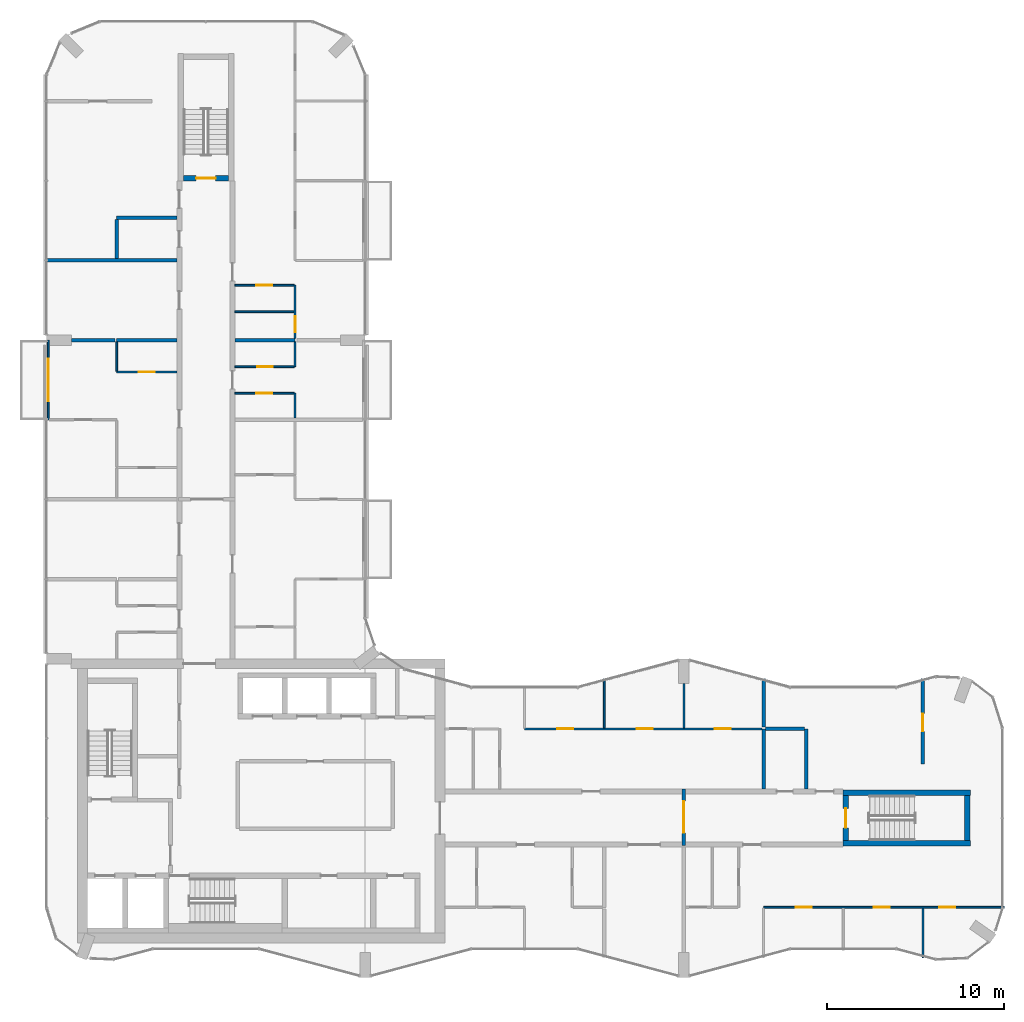
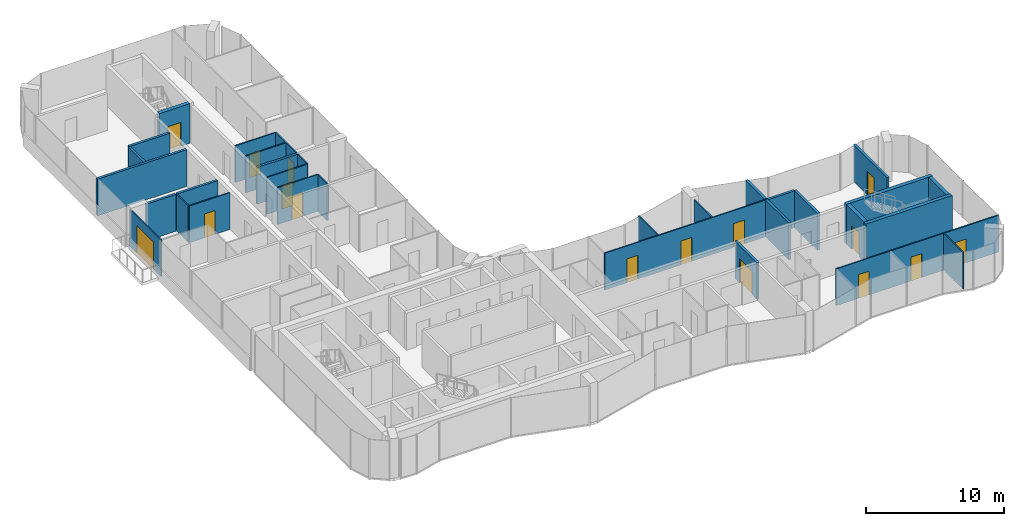
# One storey, part 12 of 15: 32 walls, 16 doors, 16 openings.
"""IFC4 building model written with IfcOpenShell, lengths in metres."""

from ifc_helpers import new_model, si_unit, direction, frame, frame_2d, origin, place, context, subcontext, project, spatial, rectangle, extrude, material, layer, layer_set, type_object, element, fill, save


model = new_model("IFC4")

# Units and contexts
model_context = context("Model", 3, precision=1e-05, world=origin(), true_north=direction((0.0, 1.0)))
body_context = subcontext(model_context, "Body", "Model", "MODEL_VIEW")
ifc_project = project(units=[si_unit("LENGTHUNIT", "METRE"), si_unit("AREAUNIT", "SQUARE_METRE"), si_unit("VOLUMEUNIT", "CUBIC_METRE"), si_unit("PLANEANGLEUNIT", "RADIAN"), si_unit("MASSUNIT", "GRAM", prefix="KILO")], contexts=[model_context])

# Site, building, storey
site_placement = place(None, origin())
site = spatial("IfcSite", under=ifc_project, at=site_placement, CompositionType="ELEMENT")
building_placement = place(site_placement, origin())
building = spatial("IfcBuilding", under=site, at=building_placement, Name="Plateau Cross Towers", CompositionType="ELEMENT")
storey_placement = place(building_placement, frame((0.0, 0.0, 204.89990234375)))
storey = spatial("IfcBuildingStorey", under=building, at=storey_placement, Name="L53", CompositionType="ELEMENT", Elevation=204.89990234375)

# Wall, opening, door
ifc_material_1 = material(Name="Aluminium framed glazing", Category="aluminium")
ifc_layer_1 = layer(ifc_material_1, 0.10009765625)
ifc_layer_set_1 = layer_set([ifc_layer_1], Name="Aluminium framed glazing")
wall_type_1 = type_object("IfcWallType", Name="Balcony screen wall 100", PredefinedType="STANDARD", material=ifc_layer_set_1)
wall_1_placement = place(storey_placement, frame((0.10009765625, 31.5, 0.0), z_axis=(0.0, 0.0, 1.0), x_axis=(0.0, 1.0, 0.0)))
wall_1 = element("IfcWall", 1, at=wall_1_placement, inside=storey, type_object=wall_type_1, Name="Balcony screen wall A-BAL-L53-01", PredefinedType="STANDARD", context=body_context, shape_type="SweptSolid", body=[
    extrude(rectangle(XDim=4.5, YDim=0.10009765625, at=frame_2d((2.25, 0.0))), origin(), (0.0, 0.0, 1.0), 3.25),
])
opening_1_placement = place(wall_1_placement, frame((1.050048828125, 0.0, 0.0)))
opening_1 = element("IfcOpeningElement", 2, at=opening_1_placement, cuts=wall_1, Name="Opening D-B24", PredefinedType="OPENING", context=body_context, shape_type="SweptSolid", body=[
    extrude(rectangle(XDim=2.39990234375, YDim=2.39990234375, at=frame_2d((1.199951171875, 1.199951171875))), frame((0.0, 0.06005859375, 0.0), z_axis=(0.0, -1.0, 0.0), x_axis=(1.0, 0.0, 0.0)), (0.0, 0.0, 1.0), 0.1201171875),
])
ifc_material_2 = material(Name="Aluminium frame, double glazing", Category="aluminium")
door_type_1 = type_object("IfcDoorType", Name="Balcony sliding door 2400", OperationType="NOTDEFINED", PredefinedType="DOOR", material=ifc_material_2)
door_1_placement = place(opening_1_placement, origin())
door_1 = element("IfcDoor", 3, at=door_1_placement, inside=storey, type_object=door_type_1, Name="Balcony door A-BAL-L53-01", OperationType="SINGLE_SWING_LEFT", OverallHeight=2.39990234375, OverallWidth=2.39990234375, PredefinedType="DOOR", context=body_context, shape_type="SweptSolid", body=[
    extrude(rectangle(XDim=2.39990234375, YDim=2.39990234375, at=frame_2d((1.199951171875, 1.199951171875))), frame((0.0, 0.02490234375, 0.0), z_axis=(0.0, -1.0, 0.0), x_axis=(1.0, 0.0, 0.0)), (0.0, 0.0, 1.0), 0.050048828125),
])
fill(opening_1, door_1)

# Wall, openings, doors
ifc_material_3 = material(Name="Gypsum board on steel studs", Category="steel")
ifc_layer_2 = layer(ifc_material_3, 0.10009765625)
ifc_layer_set_2 = layer_set([ifc_layer_2], Name="Gypsum board on steel studs")
wall_type_2 = type_object("IfcWallType", Name="Flat partition 100", PredefinedType="PARTITIONING", material=ifc_layer_set_2)
wall_2_placement = place(storey_placement, frame((54.080078125, 3.96240234375, 0.0), z_axis=(0.0, 0.0, 1.0), x_axis=(-1.0, 0.0, 0.0)))
wall_2 = element("IfcWall", 4, at=wall_2_placement, inside=storey, type_object=wall_type_2, Name="Partition wall", PredefinedType="PARTITIONING", context=body_context, shape_type="SweptSolid", body=[
    extrude(rectangle(XDim=13.580078125, YDim=0.10009765625, at=frame_2d((6.7900390625, 0.0))), origin(), (0.0, 0.0, 1.0), 3.25),
])
opening_2_placement = place(wall_2_placement, frame((10.85009765625, 0.0, 0.0)))
opening_2 = element("IfcOpeningElement", 5, at=opening_2_placement, cuts=wall_2, Name="Opening 53-25", PredefinedType="OPENING", context=body_context, shape_type="SweptSolid", body=[
    extrude(rectangle(XDim=0.89990234375, YDim=2.10009765625, at=frame_2d((0.449951171875, 1.050048828125))), frame((0.0, 0.06005859375, 0.0), z_axis=(0.0, -1.0, 0.0), x_axis=(1.0, 0.0, 0.0)), (0.0, 0.0, 1.0), 0.1201171875),
])
opening_3_placement = place(wall_2_placement, frame((6.449951171875, 0.0, 0.0)))
opening_3 = element("IfcOpeningElement", 6, at=opening_3_placement, cuts=wall_2, Name="Opening 53-26", PredefinedType="OPENING", context=body_context, shape_type="SweptSolid", body=[
    extrude(rectangle(XDim=0.89990234375, YDim=2.10009765625, at=frame_2d((0.449951171875, 1.050048828125))), frame((0.0, 0.06005859375, 0.0), z_axis=(0.0, -1.0, 0.0), x_axis=(1.0, 0.0, 0.0)), (0.0, 0.0, 1.0), 0.1201171875),
])
opening_4_placement = place(wall_2_placement, frame((2.75, 0.0, 0.0)))
opening_4 = element("IfcOpeningElement", 7, at=opening_4_placement, cuts=wall_2, Name="Opening 53-27", PredefinedType="OPENING", context=body_context, shape_type="SweptSolid", body=[
    extrude(rectangle(XDim=0.89990234375, YDim=2.10009765625, at=frame_2d((0.449951171875, 1.050048828125))), frame((0.0, 0.06005859375, 0.0), z_axis=(0.0, -1.0, 0.0), x_axis=(1.0, 0.0, 0.0)), (0.0, 0.0, 1.0), 0.1201171875),
])
ifc_material_4 = material(Name="Timber leaf", Category="wood")
door_type_2 = type_object("IfcDoorType", Name="Flat room door 900", OperationType="NOTDEFINED", PredefinedType="DOOR", material=ifc_material_4)
door_2_placement = place(opening_2_placement, origin())
door_2 = element("IfcDoor", 8, at=door_2_placement, inside=storey, type_object=door_type_2, Name="Door 53-25", OperationType="SINGLE_SWING_RIGHT", OverallHeight=2.10009765625, OverallWidth=0.89990234375, PredefinedType="DOOR", context=body_context, shape_type="SweptSolid", body=[
    extrude(rectangle(XDim=0.89990234375, YDim=2.10009765625, at=frame_2d((0.449951171875, 1.050048828125))), frame((0.0, 0.02490234375, 0.0), z_axis=(0.0, -1.0, 0.0), x_axis=(1.0, 0.0, 0.0)), (0.0, 0.0, 1.0), 0.050048828125),
])
fill(opening_2, door_2)
door_3_placement = place(opening_3_placement, origin())
door_3 = element("IfcDoor", 9, at=door_3_placement, inside=storey, type_object=door_type_2, Name="Door 53-26", OperationType="SINGLE_SWING_RIGHT", OverallHeight=2.10009765625, OverallWidth=0.89990234375, PredefinedType="DOOR", context=body_context, shape_type="SweptSolid", body=[
    extrude(rectangle(XDim=0.89990234375, YDim=2.10009765625, at=frame_2d((0.449951171875, 1.050048828125))), frame((0.0, 0.02490234375, 0.0), z_axis=(0.0, -1.0, 0.0), x_axis=(1.0, 0.0, 0.0)), (0.0, 0.0, 1.0), 0.050048828125),
])
fill(opening_3, door_3)
door_4_placement = place(opening_4_placement, origin())
door_4 = element("IfcDoor", 10, at=door_4_placement, inside=storey, type_object=door_type_2, Name="Door 53-27", OperationType="SINGLE_SWING_LEFT", OverallHeight=2.10009765625, OverallWidth=0.89990234375, PredefinedType="DOOR", context=body_context, shape_type="SweptSolid", body=[
    extrude(rectangle(XDim=0.89990234375, YDim=2.10009765625, at=frame_2d((0.449951171875, 1.050048828125))), frame((0.0, 0.02490234375, 0.0), z_axis=(0.0, -1.0, 0.0), x_axis=(1.0, 0.0, 0.0)), (0.0, 0.0, 1.0), 0.050048828125),
])
fill(opening_4, door_4)

wall_3_placement = place(storey_placement, frame((27.0, 14.03759765625, 0.0), z_axis=(0.0, 0.0, 1.0), x_axis=(1.0, 0.0, 0.0)))
wall_3 = element("IfcWall", 11, at=wall_3_placement, inside=storey, type_object=wall_type_2, Name="Partition wall", PredefinedType="PARTITIONING", context=body_context, shape_type="SweptSolid", body=[
    extrude(rectangle(XDim=13.39990234375, YDim=0.10009765625, at=frame_2d((6.699951171875, 0.0))), origin(), (0.0, 0.0, 1.0), 3.25),
])
opening_5_placement = place(wall_3_placement, frame((1.85009765625, 0.0, 0.0)))
opening_5 = element("IfcOpeningElement", 12, at=opening_5_placement, cuts=wall_3, Name="Opening 53-30", PredefinedType="OPENING", context=body_context, shape_type="SweptSolid", body=[
    extrude(rectangle(XDim=0.89990234375, YDim=2.10009765625, at=frame_2d((0.449951171875, 1.050048828125))), frame((0.0, 0.06005859375, 0.0), z_axis=(0.0, -1.0, 0.0), x_axis=(1.0, 0.0, 0.0)), (0.0, 0.0, 1.0), 0.1201171875),
])
opening_6_placement = place(wall_3_placement, frame((6.35009765625, 0.0, 0.0)))
opening_6 = element("IfcOpeningElement", 13, at=opening_6_placement, cuts=wall_3, Name="Opening 53-31", PredefinedType="OPENING", context=body_context, shape_type="SweptSolid", body=[
    extrude(rectangle(XDim=0.89990234375, YDim=2.10009765625, at=frame_2d((0.449951171875, 1.050048828125))), frame((0.0, 0.06005859375, 0.0), z_axis=(0.0, -1.0, 0.0), x_axis=(1.0, 0.0, 0.0)), (0.0, 0.0, 1.0), 0.1201171875),
])
opening_7_placement = place(wall_3_placement, frame((10.75, 0.0, 0.0)))
opening_7 = element("IfcOpeningElement", 14, at=opening_7_placement, cuts=wall_3, Name="Opening 53-32", PredefinedType="OPENING", context=body_context, shape_type="SweptSolid", body=[
    extrude(rectangle(XDim=0.89990234375, YDim=2.10009765625, at=frame_2d((0.449951171875, 1.050048828125))), frame((0.0, 0.06005859375, 0.0), z_axis=(0.0, -1.0, 0.0), x_axis=(1.0, 0.0, 0.0)), (0.0, 0.0, 1.0), 0.1201171875),
])
door_5_placement = place(opening_5_placement, origin())
door_5 = element("IfcDoor", 15, at=door_5_placement, inside=storey, type_object=door_type_2, Name="Door 53-30", OperationType="SINGLE_SWING_LEFT", OverallHeight=2.10009765625, OverallWidth=0.89990234375, PredefinedType="DOOR", context=body_context, shape_type="SweptSolid", body=[
    extrude(rectangle(XDim=0.89990234375, YDim=2.10009765625, at=frame_2d((0.449951171875, 1.050048828125))), frame((0.0, 0.02490234375, 0.0), z_axis=(0.0, -1.0, 0.0), x_axis=(1.0, 0.0, 0.0)), (0.0, 0.0, 1.0), 0.050048828125),
])
fill(opening_5, door_5)
door_6_placement = place(opening_6_placement, origin())
door_6 = element("IfcDoor", 16, at=door_6_placement, inside=storey, type_object=door_type_2, Name="Door 53-31", OperationType="SINGLE_SWING_RIGHT", OverallHeight=2.10009765625, OverallWidth=0.89990234375, PredefinedType="DOOR", context=body_context, shape_type="SweptSolid", body=[
    extrude(rectangle(XDim=0.89990234375, YDim=2.10009765625, at=frame_2d((0.449951171875, 1.050048828125))), frame((0.0, 0.02490234375, 0.0), z_axis=(0.0, -1.0, 0.0), x_axis=(1.0, 0.0, 0.0)), (0.0, 0.0, 1.0), 0.050048828125),
])
fill(opening_6, door_6)
door_7_placement = place(opening_7_placement, origin())
door_7 = element("IfcDoor", 17, at=door_7_placement, inside=storey, type_object=door_type_2, Name="Door 53-32", OperationType="SINGLE_SWING_RIGHT", OverallHeight=2.10009765625, OverallWidth=0.89990234375, PredefinedType="DOOR", context=body_context, shape_type="SweptSolid", body=[
    extrude(rectangle(XDim=0.89990234375, YDim=2.10009765625, at=frame_2d((0.449951171875, 1.050048828125))), frame((0.0, 0.02490234375, 0.0), z_axis=(0.0, -1.0, 0.0), x_axis=(1.0, 0.0, 0.0)), (0.0, 0.0, 1.0), 0.050048828125),
])
fill(opening_7, door_7)

# Wall, opening, door
wall_4_placement = place(storey_placement, frame((13.987548828125, 33.0, 0.0), z_axis=(0.0, 0.0, 1.0), x_axis=(-1.0, 0.0, 0.0)))
wall_4 = element("IfcWall", 18, at=wall_4_placement, inside=storey, type_object=wall_type_2, Name="Partition wall", PredefinedType="PARTITIONING", context=body_context, shape_type="SweptSolid", body=[
    extrude(rectangle(XDim=3.35009765625, YDim=0.10009765625, at=frame_2d((1.675048828125, 0.0))), origin(), (0.0, 0.0, 1.0), 3.25),
])
opening_8_placement = place(wall_4_placement, frame((1.25, 0.0, 0.0)))
opening_8 = element("IfcOpeningElement", 19, at=opening_8_placement, cuts=wall_4, Name="Opening 53-42", PredefinedType="OPENING", context=body_context, shape_type="SweptSolid", body=[
    extrude(rectangle(XDim=0.89990234375, YDim=2.10009765625, at=frame_2d((0.449951171875, 1.050048828125))), frame((0.0, 0.06005859375, 0.0), z_axis=(0.0, -1.0, 0.0), x_axis=(1.0, 0.0, 0.0)), (0.0, 0.0, 1.0), 0.1201171875),
])
door_8_placement = place(opening_8_placement, origin())
door_8 = element("IfcDoor", 20, at=door_8_placement, inside=storey, type_object=door_type_2, Name="Door 53-42", OperationType="SINGLE_SWING_RIGHT", OverallHeight=2.10009765625, OverallWidth=0.89990234375, PredefinedType="DOOR", context=body_context, shape_type="SweptSolid", body=[
    extrude(rectangle(XDim=0.89990234375, YDim=2.10009765625, at=frame_2d((0.449951171875, 1.050048828125))), frame((0.0, 0.02490234375, 0.0), z_axis=(0.0, -1.0, 0.0), x_axis=(1.0, 0.0, 0.0)), (0.0, 0.0, 1.0), 0.050048828125),
])
fill(opening_8, door_8)

wall_5_placement = place(storey_placement, frame((3.96240234375, 34.199951171875, 0.0), z_axis=(0.0, 0.0, 1.0), x_axis=(1.0, 0.0, 0.0)))
wall_5 = element("IfcWall", 21, at=wall_5_placement, inside=storey, type_object=wall_type_2, Name="Partition wall", PredefinedType="PARTITIONING", context=body_context, shape_type="SweptSolid", body=[
    extrude(rectangle(XDim=3.400146484375, YDim=0.10009765625, at=frame_2d((1.7001953125, 0.0))), origin(), (0.0, 0.0, 1.0), 3.25),
])
opening_9_placement = place(wall_5_placement, frame((1.25, 0.0, 0.0)))
opening_9 = element("IfcOpeningElement", 22, at=opening_9_placement, cuts=wall_5, Name="Opening 53-36", PredefinedType="OPENING", context=body_context, shape_type="SweptSolid", body=[
    extrude(rectangle(XDim=0.89990234375, YDim=2.10009765625, at=frame_2d((0.449951171875, 1.050048828125))), frame((0.0, 0.06005859375, 0.0), z_axis=(0.0, -1.0, 0.0), x_axis=(1.0, 0.0, 0.0)), (0.0, 0.0, 1.0), 0.1201171875),
])
door_9_placement = place(opening_9_placement, origin())
door_9 = element("IfcDoor", 23, at=door_9_placement, inside=storey, type_object=door_type_2, Name="Door 53-36", OperationType="SINGLE_SWING_LEFT", OverallHeight=2.10009765625, OverallWidth=0.89990234375, PredefinedType="DOOR", context=body_context, shape_type="SweptSolid", body=[
    extrude(rectangle(XDim=0.89990234375, YDim=2.10009765625, at=frame_2d((0.449951171875, 1.050048828125))), frame((0.0, 0.02490234375, 0.0), z_axis=(0.0, -1.0, 0.0), x_axis=(1.0, 0.0, 0.0)), (0.0, 0.0, 1.0), 0.050048828125),
])
fill(opening_9, door_9)

wall_6_placement = place(storey_placement, frame((10.637451171875, 34.5, 0.0), z_axis=(0.0, 0.0, 1.0), x_axis=(1.0, 0.0, 0.0)))
wall_6 = element("IfcWall", 24, at=wall_6_placement, inside=storey, type_object=wall_type_2, Name="Partition wall", PredefinedType="PARTITIONING", context=body_context, shape_type="SweptSolid", body=[
    extrude(rectangle(XDim=3.35009765625, YDim=0.10009765625, at=frame_2d((1.675048828125, 0.0))), origin(), (0.0, 0.0, 1.0), 3.25),
])
opening_10_placement = place(wall_6_placement, frame((1.25, 0.0, 0.0)))
opening_10 = element("IfcOpeningElement", 25, at=opening_10_placement, cuts=wall_6, Name="Opening 53-43", PredefinedType="OPENING", context=body_context, shape_type="SweptSolid", body=[
    extrude(rectangle(XDim=0.89990234375, YDim=2.10009765625, at=frame_2d((0.449951171875, 1.050048828125))), frame((0.0, 0.06005859375, 0.0), z_axis=(0.0, -1.0, 0.0), x_axis=(1.0, 0.0, 0.0)), (0.0, 0.0, 1.0), 0.1201171875),
])
door_10_placement = place(opening_10_placement, origin())
door_10 = element("IfcDoor", 26, at=door_10_placement, inside=storey, type_object=door_type_2, Name="Door 53-43", OperationType="SINGLE_SWING_RIGHT", OverallHeight=2.10009765625, OverallWidth=0.89990234375, PredefinedType="DOOR", context=body_context, shape_type="SweptSolid", body=[
    extrude(rectangle(XDim=0.89990234375, YDim=2.10009765625, at=frame_2d((0.449951171875, 1.050048828125))), frame((0.0, 0.02490234375, 0.0), z_axis=(0.0, -1.0, 0.0), x_axis=(1.0, 0.0, 0.0)), (0.0, 0.0, 1.0), 0.050048828125),
])
fill(opening_10, door_10)

# Wall
wall_7_placement = place(storey_placement, frame((13.987548828125, 37.60009765625, 0.0), z_axis=(0.0, 0.0, 1.0), x_axis=(-1.0, 0.0, 0.0)))
element("IfcWall", 27, at=wall_7_placement, inside=storey, type_object=wall_type_2, Name="Partition wall", PredefinedType="PARTITIONING", context=body_context, shape_type="SweptSolid", body=[
    extrude(rectangle(XDim=3.35009765625, YDim=0.10009765625, at=frame_2d((1.675048828125, 0.0))), origin(), (0.0, 0.0, 1.0), 3.25),
])

# Wall, opening, door
wall_8_placement = place(storey_placement, frame((13.987548828125, 39.10009765625, 0.0), z_axis=(0.0, 0.0, 1.0), x_axis=(-1.0, 0.0, 0.0)))
wall_8 = element("IfcWall", 28, at=wall_8_placement, inside=storey, type_object=wall_type_2, Name="Partition wall", PredefinedType="PARTITIONING", context=body_context, shape_type="SweptSolid", body=[
    extrude(rectangle(XDim=3.35009765625, YDim=0.10009765625, at=frame_2d((1.675048828125, 0.0))), origin(), (0.0, 0.0, 1.0), 3.25),
])
opening_11_placement = place(wall_8_placement, frame((1.25, 0.0, 0.0)))
opening_11 = element("IfcOpeningElement", 29, at=opening_11_placement, cuts=wall_8, Name="Opening 53-45", PredefinedType="OPENING", context=body_context, shape_type="SweptSolid", body=[
    extrude(rectangle(XDim=0.89990234375, YDim=2.10009765625, at=frame_2d((0.449951171875, 1.050048828125))), frame((0.0, 0.06005859375, 0.0), z_axis=(0.0, -1.0, 0.0), x_axis=(1.0, 0.0, 0.0)), (0.0, 0.0, 1.0), 0.1201171875),
])
door_11_placement = place(opening_11_placement, origin())
door_11 = element("IfcDoor", 30, at=door_11_placement, inside=storey, type_object=door_type_2, Name="Door 53-45", OperationType="SINGLE_SWING_RIGHT", OverallHeight=2.10009765625, OverallWidth=0.89990234375, PredefinedType="DOOR", context=body_context, shape_type="SweptSolid", body=[
    extrude(rectangle(XDim=0.89990234375, YDim=2.10009765625, at=frame_2d((0.449951171875, 1.050048828125))), frame((0.0, 0.02490234375, 0.0), z_axis=(0.0, -1.0, 0.0), x_axis=(1.0, 0.0, 0.0)), (0.0, 0.0, 1.0), 0.050048828125),
])
fill(opening_11, door_11)

# Walls
wall_9_placement = place(storey_placement, frame((3.96240234375, 35.89990234375, 0.0), z_axis=(0.0, 0.0, 1.0), x_axis=(0.0, -1.0, 0.0)))
element("IfcWall", 31, at=wall_9_placement, inside=storey, type_object=wall_type_2, Name="Partition wall", PredefinedType="PARTITIONING", context=body_context, shape_type="SweptSolid", body=[
    extrude(rectangle(XDim=1.64990234375, YDim=0.10009765625, at=frame_2d((0.824951171875, 0.0))), origin(), (0.0, 0.0, 1.0), 3.25),
])
for number, where, z_axis, x_axis, name in (
    (32, (14.03759765625, 31.60009765625, 0.0), (0.0, 0.0, 1.0), (0.0, 1.0, 0.0), "Partition wall"),
    (33, (14.03759765625, 34.5, 0.0), (0.0, 0.0, 1.0), (0.0, 1.0, 0.0), "Partition wall"),
):
    element("IfcWall", number, at=place(storey_placement, frame(where, z_axis=z_axis, x_axis=x_axis)), inside=storey, type_object=wall_type_2, Name=name, PredefinedType="PARTITIONING", context=body_context, shape_type="SweptSolid", body=[
        extrude(rectangle(XDim=1.39990234375, YDim=0.10009765625, at=frame_2d((0.699951171875, 0.0))), origin(), (0.0, 0.0, 1.0), 3.25),
    ])

# Wall, opening, door
wall_10_placement = place(storey_placement, frame((14.03759765625, 36.10009765625, 0.0), z_axis=(0.0, 0.0, 1.0), x_axis=(0.0, 1.0, 0.0)))
wall_10 = element("IfcWall", 34, at=wall_10_placement, inside=storey, type_object=wall_type_2, Name="Partition wall", PredefinedType="PARTITIONING", context=body_context, shape_type="SweptSolid", body=[
    extrude(rectangle(XDim=3.0, YDim=0.10009765625, at=frame_2d((1.5, 0.0))), origin(), (0.0, 0.0, 1.0), 3.25),
])
opening_12_placement = place(wall_10_placement, frame((0.35009765625, 0.0, 0.0)))
opening_12 = element("IfcOpeningElement", 35, at=opening_12_placement, cuts=wall_10, Name="Opening 53-44", PredefinedType="OPENING", context=body_context, shape_type="SweptSolid", body=[
    extrude(rectangle(XDim=0.89990234375, YDim=2.10009765625, at=frame_2d((0.449951171875, 1.050048828125))), frame((0.0, 0.06005859375, 0.0), z_axis=(0.0, -1.0, 0.0), x_axis=(1.0, 0.0, 0.0)), (0.0, 0.0, 1.0), 0.1201171875),
])
door_12_placement = place(opening_12_placement, origin())
door_12 = element("IfcDoor", 36, at=door_12_placement, inside=storey, type_object=door_type_2, Name="Door 53-44", OperationType="SINGLE_SWING_LEFT", OverallHeight=2.10009765625, OverallWidth=0.89990234375, PredefinedType="DOOR", context=body_context, shape_type="SweptSolid", body=[
    extrude(rectangle(XDim=0.89990234375, YDim=2.10009765625, at=frame_2d((0.449951171875, 1.050048828125))), frame((0.0, 0.02490234375, 0.0), z_axis=(0.0, -1.0, 0.0), x_axis=(1.0, 0.0, 0.0)), (0.0, 0.0, 1.0), 0.050048828125),
])
fill(opening_12, door_12)

# Walls
wall_11_placement = place(storey_placement, frame((31.5, 14.08740234375, 0.0), z_axis=(0.0, 0.0, 1.0), x_axis=(0.0, 1.0, 0.0)))
element("IfcWall", 37, at=wall_11_placement, inside=storey, type_object=wall_type_2, Name="Partition wall", PredefinedType="PARTITIONING", context=body_context, shape_type="SweptSolid", body=[
    extrude(rectangle(XDim=2.790283203125, YDim=0.10009765625, at=frame_2d((1.39501953125, 0.0))), origin(), (0.0, 0.0, 1.0), 3.25),
])
wall_12_placement = place(storey_placement, frame((36.0, 14.08740234375, 0.0), z_axis=(0.0, 0.0, 1.0), x_axis=(0.0, 1.0, 0.0)))
element("IfcWall", 38, at=wall_12_placement, inside=storey, type_object=wall_type_2, Name="Partition wall", PredefinedType="PARTITIONING", context=body_context, shape_type="SweptSolid", body=[
    extrude(rectangle(XDim=2.5126953125, YDim=0.10009765625, at=frame_2d((1.25634765625, 0.0))), origin(), (0.0, 0.0, 1.0), 3.25),
])
wall_13_placement = place(storey_placement, frame((49.5, 1.122314453125, 0.0), z_axis=(0.0, 0.0, 1.0), x_axis=(0.0, 1.0, 0.0)))
element("IfcWall", 39, at=wall_13_placement, inside=storey, type_object=wall_type_2, Name="Partition wall", PredefinedType="PARTITIONING", context=body_context, shape_type="SweptSolid", body=[
    extrude(rectangle(XDim=2.790283203125, YDim=0.10009765625, at=frame_2d((1.39501953125, 0.0))), origin(), (0.0, 0.0, 1.0), 3.25),
])
ifc_material_5 = material(Name="Gypsum board on steel studs, two layers each side", Category="steel")
ifc_layer_3 = layer(ifc_material_5, 0.199951171875)
ifc_layer_set_3 = layer_set([ifc_layer_3], Name="Gypsum board on steel studs, two layers each side")
wall_type_3 = type_object("IfcWallType", Name="Flat party wall 200", PredefinedType="PARTITIONING", material=ifc_layer_set_3)
wall_14_placement = place(storey_placement, frame((42.800048828125, 14.03759765625, 0.0), z_axis=(0.0, 0.0, 1.0), x_axis=(-1.0, 0.0, 0.0)))
element("IfcWall", 40, at=wall_14_placement, inside=storey, type_object=wall_type_3, Name="Party wall", PredefinedType="PARTITIONING", context=body_context, shape_type="SweptSolid", body=[
    extrude(rectangle(XDim=2.199951171875, YDim=0.199951171875, at=frame_2d((1.10009765625, 0.0))), origin(), (0.0, 0.0, 1.0), 3.25),
])
for number, where, z_axis, x_axis, name in (
    (41, (7.362548828125, 36.0, 0.0), (0.0, 0.0, 1.0), (-1.0, 0.0, 0.0), "Party wall"),
    (42, (14.03759765625, 36.0, 0.0), (0.0, 0.0, 1.0), (-1.0, 0.0, 0.0), "Party wall"),
):
    element("IfcWall", number, at=place(storey_placement, frame(where, z_axis=z_axis, x_axis=x_axis)), inside=storey, type_object=wall_type_3, Name=name, PredefinedType="PARTITIONING", context=body_context, shape_type="SweptSolid", body=[
        extrude(rectangle(XDim=3.400146484375, YDim=0.199951171875, at=frame_2d((1.7001953125, 0.0))), origin(), (0.0, 0.0, 1.0), 3.25),
    ])
wall_15_placement = place(storey_placement, frame((1.39990234375, 36.0, 0.0), z_axis=(0.0, 0.0, 1.0), x_axis=(1.0, 0.0, 0.0)))
element("IfcWall", 43, at=wall_15_placement, inside=storey, type_object=wall_type_3, Name="Party wall", PredefinedType="PARTITIONING", context=body_context, shape_type="SweptSolid", body=[
    extrude(rectangle(XDim=2.462646484375, YDim=0.199951171875, at=frame_2d((1.2314453125, 0.0))), origin(), (0.0, 0.0, 1.0), 3.25),
])
wall_16_placement = place(storey_placement, frame((7.362548828125, 40.5, 0.0), z_axis=(0.0, 0.0, 1.0), x_axis=(-1.0, 0.0, 0.0)))
element("IfcWall", 44, at=wall_16_placement, inside=storey, type_object=wall_type_3, Name="Party wall", PredefinedType="PARTITIONING", context=body_context, shape_type="SweptSolid", body=[
    extrude(rectangle(XDim=7.442626953125, YDim=0.199951171875, at=frame_2d((3.72119140625, 0.0))), origin(), (0.0, 0.0, 1.0), 3.25),
])
wall_17_placement = place(storey_placement, frame((7.362548828125, 42.89990234375, 0.0), z_axis=(0.0, 0.0, 1.0), x_axis=(-1.0, 0.0, 0.0)))
element("IfcWall", 45, at=wall_17_placement, inside=storey, type_object=wall_type_3, Name="Party wall", PredefinedType="PARTITIONING", context=body_context, shape_type="SweptSolid", body=[
    extrude(rectangle(XDim=3.400146484375, YDim=0.199951171875, at=frame_2d((1.7001953125, 0.0))), origin(), (0.0, 0.0, 1.0), 3.25),
])
wall_18_placement = place(storey_placement, frame((3.96240234375, 42.800048828125, 0.0), z_axis=(0.0, 0.0, 1.0), x_axis=(0.0, -1.0, 0.0)))
element("IfcWall", 46, at=wall_18_placement, inside=storey, type_object=wall_type_3, Name="Party wall", PredefinedType="PARTITIONING", context=body_context, shape_type="SweptSolid", body=[
    extrude(rectangle(XDim=2.199951171875, YDim=0.199951171875, at=frame_2d((1.10009765625, 0.0))), origin(), (0.0, 0.0, 1.0), 3.25),
])
wall_19_placement = place(storey_placement, frame((40.5, 14.03759765625, 0.0), z_axis=(0.0, 0.0, 1.0), x_axis=(0.0, -1.0, 0.0)))
element("IfcWall", 47, at=wall_19_placement, inside=storey, type_object=wall_type_3, Name="Party wall", PredefinedType="PARTITIONING", context=body_context, shape_type="SweptSolid", body=[
    extrude(rectangle(XDim=3.400146484375, YDim=0.199951171875, at=frame_2d((1.7001953125, 0.0))), origin(), (0.0, 0.0, 1.0), 3.25),
])
wall_20_placement = place(storey_placement, frame((40.5, 14.137451171875, 0.0), z_axis=(0.0, 0.0, 1.0), x_axis=(0.0, 1.0, 0.0)))
element("IfcWall", 48, at=wall_20_placement, inside=storey, type_object=wall_type_3, Name="Party wall", PredefinedType="PARTITIONING", context=body_context, shape_type="SweptSolid", body=[
    extrude(rectangle(XDim=2.740234375, YDim=0.199951171875, at=frame_2d((1.3701171875, 0.0))), origin(), (0.0, 0.0, 1.0), 3.25),
])
wall_21_placement = place(storey_placement, frame((42.89990234375, 10.637451171875, 0.0), z_axis=(0.0, 0.0, 1.0), x_axis=(0.0, 1.0, 0.0)))
element("IfcWall", 49, at=wall_21_placement, inside=storey, type_object=wall_type_3, Name="Party wall", PredefinedType="PARTITIONING", context=body_context, shape_type="SweptSolid", body=[
    extrude(rectangle(XDim=3.400146484375, YDim=0.199951171875, at=frame_2d((1.7001953125, 0.0))), origin(), (0.0, 0.0, 1.0), 3.25),
])

# Wall, opening, door
wall_22_placement = place(storey_placement, frame((49.5, 12.050048828125, 0.0), z_axis=(0.0, 0.0, 1.0), x_axis=(0.0, 1.0, 0.0)))
wall_22 = element("IfcWall", 50, at=wall_22_placement, inside=storey, type_object=wall_type_3, Name="Party wall", PredefinedType="PARTITIONING", context=body_context, shape_type="SweptSolid", body=[
    extrude(rectangle(XDim=4.82763671875, YDim=0.199951171875, at=frame_2d((2.413818359375, 0.0))), origin(), (0.0, 0.0, 1.0), 3.25),
])
opening_13_placement = place(wall_22_placement, frame((1.85009765625, 0.0, 0.0)))
opening_13 = element("IfcOpeningElement", 51, at=opening_13_placement, cuts=wall_22, Name="Opening 53-18", PredefinedType="OPENING", context=body_context, shape_type="SweptSolid", body=[
    extrude(rectangle(XDim=1.0, YDim=2.10009765625, at=frame_2d((0.5, 1.050048828125))), frame((0.0, 0.10986328125, 0.0), z_axis=(0.0, -1.0, 0.0), x_axis=(1.0, 0.0, 0.0)), (0.0, 0.0, 1.0), 0.219970703125),
])
ifc_material_6 = material(Name="Timber, fire-resisting leaf", Category="wood")
door_type_3 = type_object("IfcDoorType", Name="Flat entrance door 1000", OperationType="NOTDEFINED", PredefinedType="DOOR", material=ifc_material_6)
door_13_placement = place(opening_13_placement, origin())
door_13 = element("IfcDoor", 52, at=door_13_placement, inside=storey, type_object=door_type_3, Name="Door 53-18", OperationType="SINGLE_SWING_LEFT", OverallHeight=2.10009765625, OverallWidth=1.0, PredefinedType="DOOR", context=body_context, shape_type="SweptSolid", body=[
    extrude(rectangle(XDim=1.0, YDim=2.10009765625, at=frame_2d((0.5, 1.050048828125))), frame((0.0, 0.02490234375, 0.0), z_axis=(0.0, -1.0, 0.0), x_axis=(1.0, 0.0, 0.0)), (0.0, 0.0, 1.0), 0.050048828125),
])
fill(opening_13, door_13)

wall_23_placement = place(storey_placement, frame((36.0, 7.46240234375, 0.0), z_axis=(0.0, 0.0, 1.0), x_axis=(0.0, 1.0, 0.0)))
wall_23 = element("IfcWall", 53, at=wall_23_placement, inside=storey, type_object=wall_type_3, Name="Party wall", PredefinedType="PARTITIONING", context=body_context, shape_type="SweptSolid", body=[
    extrude(rectangle(XDim=3.175048828125, YDim=0.199951171875, at=frame_2d((1.58740234375, 0.0))), origin(), (0.0, 0.0, 1.0), 3.25),
])
opening_14_placement = place(wall_23_placement, frame((0.699951171875, 0.0, 0.0)))
opening_14 = element("IfcOpeningElement", 54, at=opening_14_placement, cuts=wall_23, Name="Opening 53-16", PredefinedType="OPENING", context=body_context, shape_type="SweptSolid", body=[
    extrude(rectangle(XDim=1.800048828125, YDim=2.10009765625, at=frame_2d((0.89990234375, 1.050048828125))), frame((0.0, 0.10986328125, 0.0), z_axis=(0.0, -1.0, 0.0), x_axis=(1.0, 0.0, 0.0)), (0.0, 0.0, 1.0), 0.219970703125),
])
ifc_material_7 = material(Name="Timber, fire-resisting leaves", Category="wood")
door_type_4 = type_object("IfcDoorType", Name="Flat floor fire door pair 1800", OperationType="NOTDEFINED", PredefinedType="DOOR", material=ifc_material_7)
door_14_placement = place(opening_14_placement, origin())
door_14 = element("IfcDoor", 55, at=door_14_placement, inside=storey, type_object=door_type_4, Name="Door 53-16", OperationType="SINGLE_SWING_RIGHT", OverallHeight=2.10009765625, OverallWidth=1.800048828125, PredefinedType="DOOR", context=body_context, shape_type="SweptSolid", body=[
    extrude(rectangle(XDim=1.800048828125, YDim=2.10009765625, at=frame_2d((0.89990234375, 1.050048828125))), frame((0.0, 0.02490234375, 0.0), z_axis=(0.0, -1.0, 0.0), x_axis=(1.0, 0.0, 0.0)), (0.0, 0.0, 1.0), 0.050048828125),
])
fill(opening_14, door_14)

ifc_material_8 = material(Name="Concrete C60/75", Category="concrete")
ifc_layer_4 = layer(ifc_material_8, 0.300048828125)
ifc_layer_set_4 = layer_set([ifc_layer_4], Name="Concrete C60/75")
wall_type_4 = type_object("IfcWallType", Name="Stair tower wall 300", PredefinedType="SHEAR", material=ifc_layer_set_4)
wall_24_placement = place(storey_placement, frame((45.14990234375, 7.72509765625, 0.0), z_axis=(0.0, 0.0, 1.0), x_axis=(0.0, 1.0, 0.0)))
wall_24 = element("IfcWall", 56, at=wall_24_placement, inside=storey, type_object=wall_type_4, Name="A-end-E-W@L53", PredefinedType="SHEAR", context=body_context, shape_type="SweptSolid", body=[
    extrude(rectangle(XDim=2.5498046875, YDim=0.300048828125, at=frame_2d((1.27490234375, 0.0))), origin(), (0.0, 0.0, 1.0), 3.5),
])
opening_15_placement = place(wall_24_placement, frame((0.72509765625, 0.0, 0.0)))
opening_15 = element("IfcOpeningElement", 57, at=opening_15_placement, cuts=wall_24, Name="Opening SD", PredefinedType="OPENING", context=body_context, shape_type="SweptSolid", body=[
    extrude(rectangle(XDim=1.10009765625, YDim=2.10009765625, at=frame_2d((0.550048828125, 1.050048828125))), frame((0.0, 0.159912109375, 0.0), z_axis=(0.0, -1.0, 0.0), x_axis=(1.0, 0.0, 0.0)), (0.0, 0.0, 1.0), 0.320068359375),
])
ifc_material_9 = material(Name="Steel, fire-resisting leaf", Category="steel")
door_type_5 = type_object("IfcDoorType", Name="Stair door 1100", OperationType="NOTDEFINED", PredefinedType="DOOR", material=ifc_material_9)
door_15_placement = place(opening_15_placement, origin())
door_15 = element("IfcDoor", 58, at=door_15_placement, inside=storey, type_object=door_type_5, Name="Stair door SD", OperationType="SINGLE_SWING_LEFT", OverallHeight=2.10009765625, OverallWidth=1.10009765625, PredefinedType="DOOR", context=body_context, shape_type="SweptSolid", body=[
    extrude(rectangle(XDim=1.10009765625, YDim=2.10009765625, at=frame_2d((0.550048828125, 1.050048828125))), frame((0.0, 0.02490234375, 0.0), z_axis=(0.0, -1.0, 0.0), x_axis=(1.0, 0.0, 0.0)), (0.0, 0.0, 1.0), 0.050048828125),
])
fill(opening_15, door_15)

# Walls
wall_25_placement = place(storey_placement, frame((52.0, 7.72509765625, 0.0), z_axis=(0.0, 0.0, 1.0), x_axis=(0.0, 1.0, 0.0)))
element("IfcWall", 59, at=wall_25_placement, inside=storey, type_object=wall_type_4, Name="A-end-E-E@L53", PredefinedType="SHEAR", context=body_context, shape_type="SweptSolid", body=[
    extrude(rectangle(XDim=2.5498046875, YDim=0.300048828125, at=frame_2d((1.27490234375, 0.0))), origin(), (0.0, 0.0, 1.0), 3.5),
])
for number, where, z_axis, x_axis, name in (
    (60, (45.0, 7.574951171875, 0.0), (0.0, 0.0, 1.0), (1.0, 0.0, 0.0), "A-end-E-S@L53"),
    (61, (45.0, 10.425048828125, 0.0), (0.0, 0.0, 1.0), (1.0, 0.0, 0.0), "A-end-E-N@L53"),
):
    element("IfcWall", number, at=place(storey_placement, frame(where, z_axis=z_axis, x_axis=x_axis)), inside=storey, type_object=wall_type_4, Name=name, PredefinedType="SHEAR", context=body_context, shape_type="SweptSolid", body=[
        extrude(rectangle(XDim=7.199951171875, YDim=0.300048828125, at=frame_2d((3.60009765625, 0.0))), origin(), (0.0, 0.0, 1.0), 3.5),
    ])

# Wall, opening, door
wall_26_placement = place(storey_placement, frame((7.72509765625, 45.14990234375, 0.0), z_axis=(0.0, 0.0, 1.0), x_axis=(1.0, 0.0, 0.0)))
wall_26 = element("IfcWall", 62, at=wall_26_placement, inside=storey, type_object=wall_type_4, Name="A-end-N-S@L53", PredefinedType="SHEAR", context=body_context, shape_type="SweptSolid", body=[
    extrude(rectangle(XDim=2.5498046875, YDim=0.300048828125, at=frame_2d((1.27490234375, 0.0))), origin(), (0.0, 0.0, 1.0), 3.5),
])
opening_16_placement = place(wall_26_placement, frame((0.72509765625, 0.0, 0.0)))
opening_16 = element("IfcOpeningElement", 63, at=opening_16_placement, cuts=wall_26, Name="Opening SD", PredefinedType="OPENING", context=body_context, shape_type="SweptSolid", body=[
    extrude(rectangle(XDim=1.10009765625, YDim=2.10009765625, at=frame_2d((0.550048828125, 1.050048828125))), frame((0.0, 0.159912109375, 0.0), z_axis=(0.0, -1.0, 0.0), x_axis=(1.0, 0.0, 0.0)), (0.0, 0.0, 1.0), 0.320068359375),
])
door_16_placement = place(opening_16_placement, origin())
door_16 = element("IfcDoor", 64, at=door_16_placement, inside=storey, type_object=door_type_5, Name="Stair door SD", OperationType="SINGLE_SWING_LEFT", OverallHeight=2.10009765625, OverallWidth=1.10009765625, PredefinedType="DOOR", context=body_context, shape_type="SweptSolid", body=[
    extrude(rectangle(XDim=1.10009765625, YDim=2.10009765625, at=frame_2d((0.550048828125, 1.050048828125))), frame((0.0, 0.02490234375, 0.0), z_axis=(0.0, -1.0, 0.0), x_axis=(1.0, 0.0, 0.0)), (0.0, 0.0, 1.0), 0.050048828125),
])
fill(opening_16, door_16)

save(model, "model.ifc")
